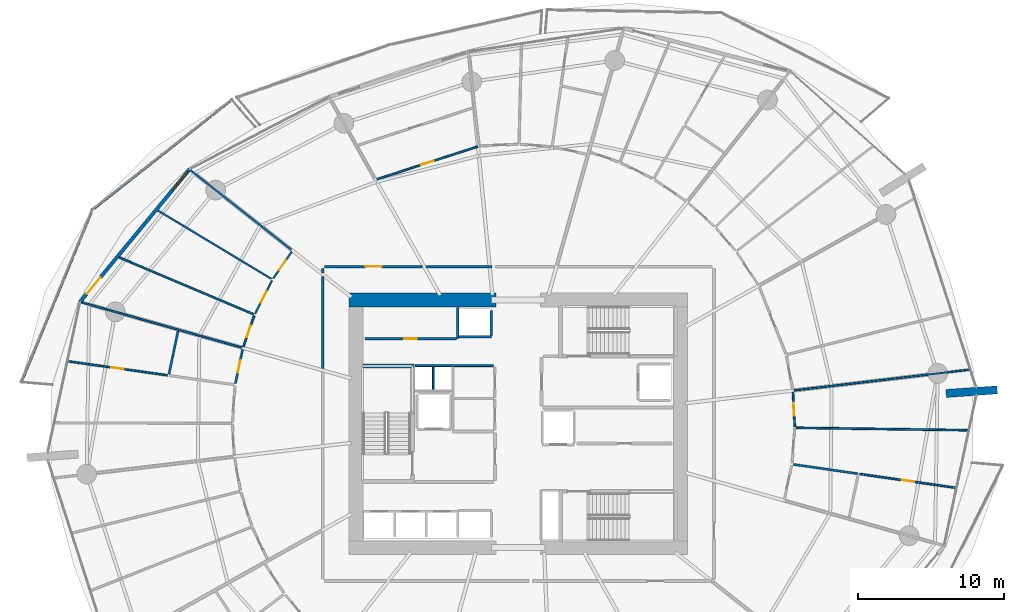
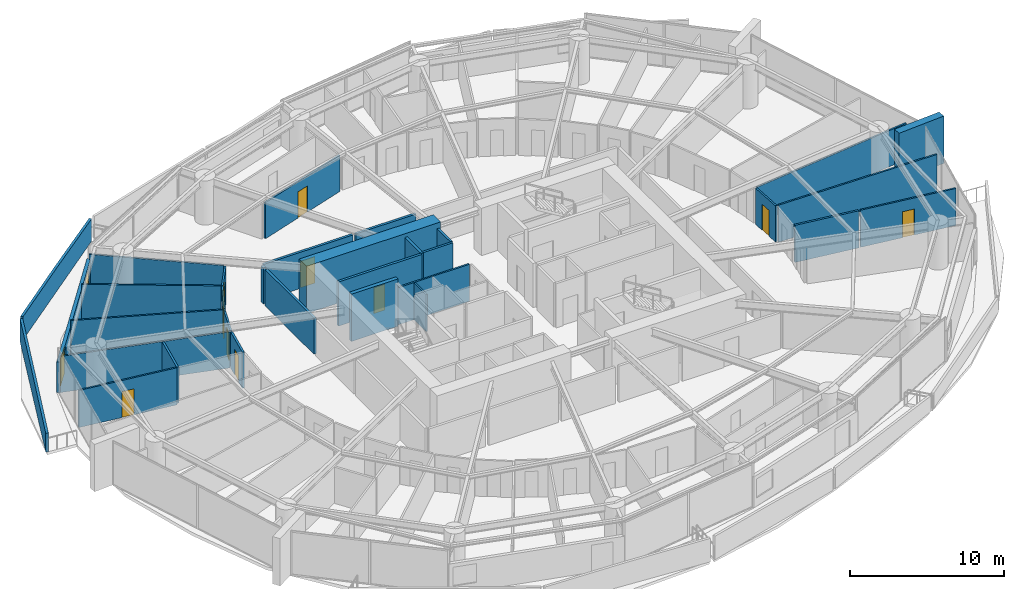
# One storey, part 22 of 31: 32 walls, 11 doors, 1 window, 12 openings.
"""IFC4 building model written with IfcOpenShell, lengths in metres."""

import ifcopenshell
import ifcopenshell.guid

model = None  # the IFC model being written
_history = None  # IfcOwnerHistory: only IFC2X3 demands one
_inside = {}  # id of a spatial element -> (the spatial element, [elements in it])
_under = {}  # id of a project, library or spatial element -> (it, [spatial elements below it])
_declared = {}  # id of a project -> (the project, [libraries it declares])
_typed = {}  # id of a type object -> (the type object, [elements of that type])
_made_of = {}  # id of a material, layer set ... -> (it, [elements and type objects made of it])


def new_model(schema):
    """Start an empty IFC model of exactly this schema.

    Asked for "IFC4X3", IfcOpenShell would pick the latest addendum, in which some entities
    have other attributes; the version numbers below select the first issue.
    IFC2X3 requires an IfcOwnerHistory on every rooted entity: one is made here for all.
    """
    global model, _history
    if schema == "IFC4X3":
        model = ifcopenshell.file(schema_version=(4, 3, 0, 0))
    else:
        model = ifcopenshell.file(schema=schema)
    _inside.clear()
    _under.clear()
    _declared.clear()
    _typed.clear()
    _made_of.clear()
    _history = None
    if model.schema == "IFC2X3":
        org = make("IfcOrganization", Name="unknown")
        user = make(
            "IfcPersonAndOrganization",
            ThePerson=make("IfcPerson", FamilyName="unknown"),
            TheOrganization=org,
        )
        app = make(
            "IfcApplication",
            ApplicationDeveloper=org,
            Version="unknown",
            ApplicationFullName="unknown",
            ApplicationIdentifier="unknown",
        )
        _history = make(
            "IfcOwnerHistory",
            OwningUser=user,
            OwningApplication=app,
            ChangeAction="ADDED",
            CreationDate=0,
        )
    return model


def make(cls, **values):
    """One entity of the class cls with the attributes given. An attribute that is None is left unset."""
    return model.create_entity(
        cls, **{name: value for name, value in values.items() if value is not None}
    )


def rooted(cls, **values):
    """An entity with a GlobalId (a new one), such as an element, a storey or a relation."""
    return make(cls, GlobalId=ifcopenshell.guid.new(), OwnerHistory=_history, **values)


def si_unit(unit_type, name, prefix=None):
    """IfcSIUnit, for example si_unit("LENGTHUNIT", "METRE", prefix="MILLI")."""
    return make("IfcSIUnit", UnitType=unit_type, Prefix=prefix, Name=name)


def assignment(units):
    """IfcUnitAssignment: the units of a project."""
    return None if units is None else make("IfcUnitAssignment", Units=units)


def point(xyz):
    """IfcCartesianPoint."""
    return None if xyz is None else make("IfcCartesianPoint", Coordinates=xyz)


def direction(xyz):
    """IfcDirection."""
    return None if xyz is None else make("IfcDirection", DirectionRatios=xyz)


def frame(location, z_axis=None, x_axis=None):
    """IfcAxis2Placement3D, a coordinate frame: its origin and axes. An axis left out is left unset."""
    return make(
        "IfcAxis2Placement3D",
        Location=point(location),
        Axis=direction(z_axis),
        RefDirection=direction(x_axis),
    )


def frame_2d(location, x_axis=None):
    """IfcAxis2Placement2D, a coordinate frame in the plane: its origin and x axis."""
    return make(
        "IfcAxis2Placement2D", Location=point(location), RefDirection=direction(x_axis)
    )


def origin():
    """The frame at (0, 0, 0) with its axes left unset."""
    return frame((0.0, 0.0, 0.0))


def place(relative_to, where):
    """IfcLocalPlacement: puts the frame where relative to a parent placement (None: the world)."""
    return make(
        "IfcLocalPlacement", PlacementRelTo=relative_to, RelativePlacement=where
    )


def context(
    kind, dimensions, precision=None, world=None, true_north=None, identifier=None
):
    """IfcGeometricRepresentationContext, for example the 3D "Model" context."""
    return make(
        "IfcGeometricRepresentationContext",
        ContextIdentifier=identifier,
        ContextType=kind,
        CoordinateSpaceDimension=dimensions,
        Precision=precision,
        WorldCoordinateSystem=world,
        TrueNorth=true_north,
    )


def subcontext(parent, identifier, kind, view, scale=None):
    """IfcGeometricRepresentationSubContext, for example "Body" below "Model"."""
    return make(
        "IfcGeometricRepresentationSubContext",
        ContextIdentifier=identifier,
        ContextType=kind,
        ParentContext=parent,
        TargetScale=scale,
        TargetView=view,
    )


def project(units=None, contexts=None):
    """IfcProject with its units and contexts."""
    return rooted(
        "IfcProject",
        Name="project",
        RepresentationContexts=contexts,
        UnitsInContext=assignment(units),
    )


def spatial(cls, under=None, at=None, **own):
    """A site, building, storey or space (cls), placed at a placement, below another one or the project."""
    s = rooted(cls, ObjectPlacement=at, **own)
    if under is not None:
        _under.setdefault(under.id(), (under, []))[1].append(s)
    return s


def polyline(points):
    """IfcPolyline through the points."""
    return make("IfcPolyline", Points=[point(p) for p in points])


def profile(cls, at=None, kind="AREA", **sizes):
    """A parametric profile (cls). Its sizes go by their IFC names, for example OverallWidth=200.0."""
    return make(cls, ProfileType=kind, Position=at, **sizes)


def rectangle(**sizes):
    """IfcRectangleProfileDef."""
    return profile("IfcRectangleProfileDef", **sizes)


def outline(outer, holes=None, kind="AREA"):
    """IfcArbitraryClosedProfileDef: a profile drawn as a closed curve; with holes, ...WithVoids."""
    if holes is None:
        return make("IfcArbitraryClosedProfileDef", ProfileType=kind, OuterCurve=outer)
    return make(
        "IfcArbitraryProfileDefWithVoids",
        ProfileType=kind,
        OuterCurve=outer,
        InnerCurves=holes,
    )


def extrude(swept, where, along, depth):
    """IfcExtrudedAreaSolid: the profile swept, set in the frame where, extruded along a direction by depth."""
    return make(
        "IfcExtrudedAreaSolid",
        SweptArea=swept,
        Position=where,
        ExtrudedDirection=direction(along),
        Depth=depth,
    )


def shape(context_of_items, identifier, shape_type, items):
    """IfcShapeRepresentation: the items that make up one representation, for example the "Body"."""
    return make(
        "IfcShapeRepresentation",
        ContextOfItems=context_of_items,
        RepresentationIdentifier=identifier,
        RepresentationType=shape_type,
        Items=items,
    )


def material(Name=None, Category=None):
    """IfcMaterial."""
    return make("IfcMaterial", Name=Name, Category=Category)


def layer(
    of_material, thickness, ventilated=None, Name=None, Category=None, Priority=None
):
    """IfcMaterialLayer: one layer of a wall or slab, of a material (None: an air gap)."""
    return make(
        "IfcMaterialLayer",
        Material=of_material,
        LayerThickness=thickness,
        IsVentilated=ventilated,
        Name=Name,
        Category=Category,
        Priority=Priority,
    )


def layer_set(layers, Name=None):
    """IfcMaterialLayerSet."""
    return make("IfcMaterialLayerSet", MaterialLayers=layers, LayerSetName=Name)


def made_of(thing, what):
    """Note that an element or type object is made of a material, layer set ...; save() writes the relation."""
    if what is not None:
        _made_of.setdefault(what.id(), (what, []))[1].append(thing)
    return thing


def type_object(cls, material=None, **own):
    """A type object (cls), such as IfcWallType, which elements share."""
    return made_of(rooted(cls, **own), material)


def element(
    cls,
    number,
    at=None,
    inside=None,
    cuts=None,
    type_object=None,
    material=None,
    context=None,
    identifier="Body",
    shape_type=None,
    held_by="IfcProductDefinitionShape",
    body=None,
    shapes=None,
    **own,
):
    """One element of the class cls, such as IfcWall. Its Tag is "e" and its number.

    at: its placement. inside: the storey or other place that contains it. cuts: it is an
    opening in that element (IfcRelVoidsElement). A single representation is given by context,
    identifier, shape_type and body (its items); several are given by shapes. held_by: the class
    of the entity that holds the representations. save() writes the other relations.
    """
    e = rooted(cls, Tag="e%d" % number, ObjectPlacement=at, **own)
    if body is not None:
        shapes = [shape(context, identifier, shape_type, body)]
    if shapes is not None:
        e.Representation = make(held_by, Representations=shapes)
    if inside is not None:
        _inside.setdefault(inside.id(), (inside, []))[1].append(e)
    if cuts is not None:
        rooted(
            "IfcRelVoidsElement", RelatingBuildingElement=cuts, RelatedOpeningElement=e
        )
    if type_object is not None:
        _typed.setdefault(type_object.id(), (type_object, []))[1].append(e)
    return made_of(e, material)


def fill(opening, filler):
    """IfcRelFillsElement: the door or window that sits in an opening."""
    return rooted(
        "IfcRelFillsElement",
        RelatingOpeningElement=opening,
        RelatedBuildingElement=filler,
    )


def aggregate(whole, parts):
    """IfcRelAggregates: a whole, such as a stair, and the parts it consists of."""
    return rooted("IfcRelAggregates", RelatingObject=whole, RelatedObjects=parts)


def save(model, path):
    """Write the relations noted so far, then the file.

    IfcRelAggregates (storeys below a building ...), IfcRelContainedInSpatialStructure (elements
    in a storey), IfcRelDefinesByType, IfcRelAssociatesMaterial and IfcRelDeclares: one each for
    every whole, place, type object, material and project.
    """
    for whole, parts in _under.values():
        aggregate(whole, parts)
    for where, things in _inside.values():
        rooted(
            "IfcRelContainedInSpatialStructure",
            RelatedElements=things,
            RelatingStructure=where,
        )
    for kind, things in _typed.values():
        rooted("IfcRelDefinesByType", RelatedObjects=things, RelatingType=kind)
    for what, things in _made_of.values():
        rooted("IfcRelAssociatesMaterial", RelatedObjects=things, RelatingMaterial=what)
    for by, libraries in _declared.values():
        rooted("IfcRelDeclares", RelatingContext=by, RelatedDefinitions=libraries)
    model.write(path)


model = new_model("IFC4")

# Units and contexts
model_context = context("Model", 3, precision=1e-05, world=origin(), true_north=direction((0.0, 1.0)))
body_context = subcontext(model_context, "Body", "Model", "MODEL_VIEW")
ifc_project = project(units=[si_unit("LENGTHUNIT", "METRE"), si_unit("AREAUNIT", "SQUARE_METRE"), si_unit("VOLUMEUNIT", "CUBIC_METRE"), si_unit("PLANEANGLEUNIT", "RADIAN"), si_unit("MASSUNIT", "GRAM", prefix="KILO")], contexts=[model_context])

# Site, building, storey
site_placement = place(None, origin())
site = spatial("IfcSite", under=ifc_project, at=site_placement, CompositionType="ELEMENT")
building_placement = place(site_placement, origin())
building = spatial("IfcBuilding", under=site, at=building_placement, Name="Kazma Halo Residences", CompositionType="ELEMENT")
storey_placement = place(building_placement, frame((0.0, 0.0, 48.89990234375)))
storey = spatial("IfcBuildingStorey", under=building, at=storey_placement, Name="L11", CompositionType="ELEMENT", Elevation=48.89990234375)

# Walls
ifc_material_1 = material(Name="White Concrete C50/60 Balustrade", Category="concrete")
ifc_layer_1 = layer(ifc_material_1, 0.179931640625)
ifc_layer_set_1 = layer_set([ifc_layer_1], Name="White Concrete C50/60 Balustrade")
wall_type_1 = type_object("IfcWallType", Name="WL-BAL-WAVE-180", PredefinedType="PARAPET", material=ifc_layer_set_1)
wall_1_placement = place(storey_placement, frame((28.828369140625, 64.17138671875, 0.0), z_axis=(0.0, 0.0, 1.0), x_axis=(-0.784771193171, -0.619785587416, 0.0)))
element("IfcWall", 1, at=wall_1_placement, inside=storey, type_object=wall_type_1, Name="L11 white wave balustrade wall NW.1", PredefinedType="PARAPET", context=body_context, shape_type="SweptSolid", body=[
    extrude(outline(polyline([(0.0, 0.0), (12.0439453125, 0.0), (12.0439453125, 1.83203125), (6.02197265625, 1.85302734375), (0.0, 1.756103515625), (0.0, 0.0)])), frame((0.0, 0.08984375, 0.0), z_axis=(0.0, -1.0, 0.0), x_axis=(1.0, 0.0, 0.0)), (0.0, 0.0, 1.0), 0.179931640625),
])
wall_2_placement = place(storey_placement, frame((19.23681640625, 56.521484375, 0.0), z_axis=(0.0, 0.0, 1.0), x_axis=(-0.381082407016, -0.924541074838, 0.0)))
element("IfcWall", 2, at=wall_2_placement, inside=storey, type_object=wall_type_1, Name="L11 white wave balustrade wall NW.2", PredefinedType="PARAPET", context=body_context, shape_type="SweptSolid", body=[
    extrude(outline(polyline([(0.0, 0.0), (12.625244140625, 0.0), (12.625244140625, 1.4970703125), (6.3125, 1.696044921875), (0.0, 1.83203125), (0.0, 0.0)])), frame((0.0, 0.08984375, 0.0), z_axis=(0.0, -1.0, 0.0), x_axis=(1.0, 0.0, 0.0)), (0.0, 0.0, 1.0), 0.179931640625),
])
ifc_material_2 = material(Name="Pale Concrete C60/75", Category="concrete")
ifc_layer_2 = layer(ifc_material_2, 0.550048828125)
ifc_layer_set_2 = layer_set([ifc_layer_2], Name="Pale Concrete C60/75")
wall_type_2 = type_object("IfcWallType", Name="WL-BLADE-550", PredefinedType="SOLIDWALL", material=ifc_layer_set_2)
wall_3_placement = place(storey_placement, frame((77.677978515625, 44.0751953125, 0.0), z_axis=(0.0, 0.0, 1.0), x_axis=(0.997564163539, 0.069754853754, 0.0)))
element("IfcWall", 3, at=wall_3_placement, inside=storey, type_object=wall_type_2, Name="L11 pale concrete structural blade fin wall BW-04", PredefinedType="SOLIDWALL", context=body_context, shape_type="SweptSolid", body=[
    extrude(rectangle(XDim=3.5, YDim=0.550048828125, at=frame_2d((1.75, 0.0))), origin(), (0.0, 0.0, 1.0), 3.75),
])
ifc_material_3 = material(Name="Concrete C80/95", Category="concrete")
ifc_layer_3 = layer(ifc_material_3, 0.949951171875)
ifc_layer_set_3 = layer_set([ifc_layer_3], Name="Concrete C80/95")
wall_type_3 = type_object("IfcWallType", Name="WL-CORE-950", PredefinedType="SHEAR", material=ifc_layer_set_3)
wall_4_placement = place(storey_placement, frame((36.85009765625, 50.47509765625, 0.0), z_axis=(0.0, 0.0, 1.0), x_axis=(1.0, 0.0, 0.0)))
element("IfcWall", 4, at=wall_4_placement, inside=storey, type_object=wall_type_3, Name="L11 central core shear wall NW", PredefinedType="SHEAR", context=body_context, shape_type="SweptSolid", body=[
    extrude(rectangle(XDim=10.0498046875, YDim=0.949951171875, at=frame_2d((5.02490234375, 0.0))), origin(), (0.0, 0.0, 1.0), 3.75),
])
ifc_material_4 = material(Name="Concrete C60/75", Category="concrete")
ifc_layer_4 = layer(ifc_material_4, 0.280029296875)
ifc_layer_set_4 = layer_set([ifc_layer_4], Name="Concrete C60/75")
wall_type_4 = type_object("IfcWallType", Name="WL-CORE-ST-280", PredefinedType="SHEAR", material=ifc_layer_set_4)
wall_5_placement = place(storey_placement, frame((37.800048828125, 45.93994140625, 0.0), z_axis=(0.0, 0.0, 1.0), x_axis=(1.0, 0.0, 0.0)))
element("IfcWall", 5, at=wall_5_placement, inside=storey, type_object=wall_type_4, Name="L11 stairwell bearing wall ST01-N", PredefinedType="SHEAR", context=body_context, shape_type="SweptSolid", body=[
    extrude(rectangle(XDim=3.5, YDim=0.280029296875, at=frame_2d((1.75, 0.0))), origin(), (0.0, 0.0, 1.0), 3.75),
])

# Wall, opening, door
ifc_material_5 = material(Name="Acoustic Twin-Stud Gypsum")
ifc_layer_5 = layer(ifc_material_5, 0.179931640625)
ifc_layer_set_5 = layer_set([ifc_layer_5], Name="Acoustic Twin-Stud Gypsum")
wall_type_5 = type_object("IfcWallType", Name="WL-DEM-180", PredefinedType="PARTITIONING", material=ifc_layer_set_5)
wall_6_placement = place(storey_placement, frame((41.859619140625, 52.75, 0.0), z_axis=(0.0, 0.0, 1.0), x_axis=(-1.0, 0.0, 0.0)))
wall_6 = element("IfcWall", 6, at=wall_6_placement, inside=storey, type_object=wall_type_5, Name="L11 Apartment 1 entrance corridor wall", PredefinedType="PARTITIONING", context=body_context, shape_type="SweptSolid", body=[
    extrude(rectangle(XDim=6.689697265625, YDim=0.179931640625, at=frame_2d((3.3447265625, 0.0))), origin(), (0.0, 0.0, 1.0), 2.8671875),
])
opening_1_placement = place(wall_6_placement, frame((2.794921875, 0.0, 0.0)))
opening_1 = element("IfcOpeningElement", 7, at=opening_1_placement, cuts=wall_6, Name="Opening DA-1100", PredefinedType="OPENING", context=body_context, shape_type="SweptSolid", body=[
    extrude(rectangle(XDim=1.10009765625, YDim=2.10009765625, at=frame_2d((0.550048828125, 1.050048828125))), frame((0.0, 0.099853515625, 0.0), z_axis=(0.0, -1.0, 0.0), x_axis=(1.0, 0.0, 0.0)), (0.0, 0.0, 1.0), 0.199951171875),
])
ifc_material_6 = material(Name="Acoustic Walnut Fire Leaf")
door_type_1 = type_object("IfcDoorType", Name="DR-FD60-1100", OperationType="NOTDEFINED", PredefinedType="DOOR", material=ifc_material_6)
door_1_placement = place(opening_1_placement, origin())
door_1 = element("IfcDoor", 8, at=door_1_placement, inside=storey, type_object=door_type_1, Name="L11 Apartment 1 entrance fire door", OperationType="SINGLE_SWING_LEFT", OverallHeight=2.10009765625, OverallWidth=1.10009765625, PredefinedType="DOOR", context=body_context, shape_type="SweptSolid", body=[
    extrude(rectangle(XDim=1.10009765625, YDim=2.10009765625, at=frame_2d((0.550048828125, 1.050048828125))), frame((0.0, 0.02490234375, 0.0), z_axis=(0.0, -1.0, 0.0), x_axis=(1.0, 0.0, 0.0)), (0.0, 0.0, 1.0), 0.050048828125),
])
fill(opening_1, door_1)

# Walls
wall_7_placement = place(storey_placement, frame((35.050048828125, 52.6298828125, 0.0), z_axis=(0.0, 0.0, 1.0), x_axis=(0.0, -1.0, 0.0)))
element("IfcWall", 9, at=wall_7_placement, inside=storey, type_object=wall_type_5, Name="L11 Apartment 1 entrance corridor wall", PredefinedType="PARTITIONING", context=body_context, shape_type="SweptSolid", body=[
    extrude(rectangle(XDim=0.30078125, YDim=0.179931640625, at=frame_2d((0.150390625, 0.0))), origin(), (0.0, 0.0, 1.0), 2.8671875),
])
wall_8_placement = place(storey_placement, frame((46.607666015625, 52.75, 0.0), z_axis=(0.0, 0.0, 1.0), x_axis=(-1.0, 0.0, 0.0)))
element("IfcWall", 10, at=wall_8_placement, inside=storey, type_object=wall_type_5, Name="L11 Apartment 1 inner wall 3", PredefinedType="PARTITIONING", context=body_context, shape_type="SweptSolid", body=[
    extrude(rectangle(XDim=4.508056640625, YDim=0.179931640625, at=frame_2d((2.25390625, 0.0))), origin(), (0.0, 0.0, 1.0), 2.8671875),
])
wall_9_placement = place(storey_placement, frame((35.050048828125, 52.089111328125, 0.0), z_axis=(0.0, 0.0, 1.0), x_axis=(0.0, -1.0, 0.0)))
element("IfcWall", 11, at=wall_9_placement, inside=storey, type_object=wall_type_5, Name="L11 Apartment 1 inner wall 5", PredefinedType="PARTITIONING", context=body_context, shape_type="SweptSolid", body=[
    extrude(rectangle(XDim=6.31689453125, YDim=0.179931640625, at=frame_2d((3.158447265625, 0.0))), origin(), (0.0, 0.0, 1.0), 2.8671875),
])

# Wall, openings, door, window
ifc_material_7 = material(Name="Insulated Pale-Metal Composite Wall")
ifc_layer_6 = layer(ifc_material_7, 0.239990234375)
ifc_layer_set_6 = layer_set([ifc_layer_6], Name="Insulated Pale-Metal Composite Wall")
wall_type_6 = type_object("IfcWallType", Name="WL-EXT-HOST-240", PredefinedType="SOLIDWALL", material=ifc_layer_set_6)
wall_10_placement = place(storey_placement, frame((25.966796875, 59.433349609375, 0.0), z_axis=(0.0, 0.0, 1.0), x_axis=(-0.636674332663, -0.771132799281, 0.0)))
wall_10 = element("IfcWall", 12, at=wall_10_placement, inside=storey, type_object=wall_type_6, Name="L11 exterior terrace-access wall B06", PredefinedType="SOLIDWALL", context=body_context, shape_type="SweptSolid", body=[
    extrude(rectangle(XDim=11.851318359375, YDim=0.239990234375, at=frame_2d((5.92578125, 0.0))), origin(), (0.0, 0.0, 1.0), 2.4501953125),
])
opening_2_placement = place(wall_10_placement, frame((9.631103515625, 0.0, 0.0)))
opening_2 = element("IfcOpeningElement", 13, at=opening_2_placement, cuts=wall_10, Name="Opening DTR-1600", PredefinedType="OPENING", context=body_context, shape_type="SweptSolid", body=[
    extrude(rectangle(XDim=1.449951171875, YDim=2.14990234375, at=frame_2d((0.72509765625, 1.074951171875))), frame((0.0, 0.1298828125, 0.0), z_axis=(0.0, -1.0, 0.0), x_axis=(1.0, 0.0, 0.0)), (0.0, 0.0, 1.0), 0.260009765625),
])
opening_3_placement = place(wall_10_placement, frame((0.280029296875, 0.0, 0.64990234375)))
opening_3 = element("IfcOpeningElement", 14, at=opening_3_placement, cuts=wall_10, Name="Opening W-1800", PredefinedType="OPENING", context=body_context, shape_type="SweptSolid", body=[
    extrude(rectangle(XDim=1.60009765625, YDim=1.5, at=frame_2d((0.800048828125, 0.75))), frame((0.0, 0.1298828125, 0.0), z_axis=(0.0, -1.0, 0.0), x_axis=(1.0, 0.0, 0.0)), (0.0, 0.0, 1.0), 0.260009765625),
])
ifc_material_8 = material(Name="Aluminium AW-6063 T6 Double-Glazed Terrace Door", Category="aluminium")
door_type_2 = type_object("IfcDoorType", Name="DR-EXT-TERR-1600", OperationType="NOTDEFINED", PredefinedType="DOOR", material=ifc_material_8)
door_2_placement = place(opening_2_placement, origin())
door_2 = element("IfcDoor", 15, at=door_2_placement, inside=storey, type_object=door_type_2, Name="L11 B06 balcony terrace door", OperationType="DOUBLE_DOOR_SLIDING", OverallHeight=2.14990234375, OverallWidth=1.449951171875, PredefinedType="DOOR", context=body_context, shape_type="SweptSolid", body=[
    extrude(rectangle(XDim=1.449951171875, YDim=2.14990234375, at=frame_2d((0.72509765625, 1.074951171875))), frame((0.0, 0.02490234375, 0.0), z_axis=(0.0, -1.0, 0.0), x_axis=(1.0, 0.0, 0.0)), (0.0, 0.0, 1.0), 0.050048828125),
])
fill(opening_2, door_2)
ifc_material_9 = material(Name="Clear Triple-Silver Low-E Glass in Aluminium AW-6063 T6 Frame", Category="aluminium")
window_type = type_object("IfcWindowType", Name="WIN-RES-1800", PartitioningType="DOUBLE_PANEL_VERTICAL", PredefinedType="WINDOW", material=ifc_material_9)
window_placement = place(opening_3_placement, origin())
window = element("IfcWindow", 16, at=window_placement, inside=storey, type_object=window_type, Name="L11 B06 apartment window", OverallHeight=1.5, OverallWidth=1.60009765625, PartitioningType="SINGLE_PANEL", PredefinedType="WINDOW", context=body_context, shape_type="SweptSolid", body=[
    extrude(rectangle(XDim=1.60009765625, YDim=1.5, at=frame_2d((0.800048828125, 0.75))), frame((0.0, 0.030029296875, 0.0), z_axis=(0.0, -1.0, 0.0), x_axis=(1.0, 0.0, 0.0)), (0.0, 0.0, 1.0), 0.06005859375),
])
fill(opening_3, window)

# Walls
ifc_material_10 = material(Name="Fire-Rated Blockwork Masonry", Category="masonry")
ifc_layer_7 = layer(ifc_material_10, 0.199951171875)
ifc_layer_set_7 = layer_set([ifc_layer_7], Name="Fire-Rated Blockwork Masonry")
wall_type_7 = type_object("IfcWallType", Name="WL-FLB-200", PredefinedType="PARTITIONING", material=ifc_layer_set_7)
wall_11_placement = place(storey_placement, frame((46.580078125, 47.945068359375, 0.0), z_axis=(0.0, 0.0, 1.0), x_axis=(-1.0, 0.0, 0.0)))
element("IfcWall", 17, at=wall_11_placement, inside=storey, type_object=wall_type_7, Name="L11 lift shaft PX-01 front wall", PredefinedType="PARTITIONING", context=body_context, shape_type="SweptSolid", body=[
    extrude(rectangle(XDim=2.260009765625, YDim=0.159912109375, at=frame_2d((1.1298828125, 0.0))), origin(), (0.0, 0.0, 1.0), 3.5),
])
wall_12_placement = place(storey_placement, frame((46.580078125, 48.044921875, 0.0), z_axis=(0.0, 0.0, 1.0), x_axis=(0.0, 1.0, 0.0)))
element("IfcWall", 18, at=wall_12_placement, inside=storey, type_object=wall_type_7, Name="L11 lift shaft PX-01 side wall E", PredefinedType="PARTITIONING", context=body_context, shape_type="SweptSolid", body=[
    extrude(rectangle(XDim=1.7099609375, YDim=0.159912109375, at=frame_2d((0.85498046875, 0.0))), origin(), (0.0, 0.0, 1.0), 3.5),
])

# Wall, opening, door
wall_13_placement = place(storey_placement, frame((37.919921875, 47.820068359375, 0.0), z_axis=(0.0, 0.0, 1.0), x_axis=(1.0, 0.0, 0.0)))
wall_13 = element("IfcWall", 19, at=wall_13_placement, inside=storey, type_object=wall_type_7, Name="L11 core north reserve wall", PredefinedType="PARTITIONING", context=body_context, shape_type="SweptSolid", body=[
    extrude(rectangle(XDim=6.260009765625, YDim=0.179931640625, at=frame_2d((3.1298828125, 0.0))), origin(), (0.0, 0.0, 1.0), 3.5),
])
opening_4_placement = place(wall_13_placement, frame((2.705078125, 0.0, 0.0)))
opening_4 = element("IfcOpeningElement", 20, at=opening_4_placement, cuts=wall_13, Name="Opening DS-850", PredefinedType="OPENING", context=body_context, shape_type="SweptSolid", body=[
    extrude(rectangle(XDim=0.85009765625, YDim=2.06005859375, at=frame_2d((0.425048828125, 1.030029296875))), frame((0.0, 0.099853515625, 0.0), z_axis=(0.0, -1.0, 0.0), x_axis=(1.0, 0.0, 0.0)), (0.0, 0.0, 1.0), 0.199951171875),
])
ifc_material_11 = material(Name="Painted Steel Access Leaf", Category="steel")
door_type_3 = type_object("IfcDoorType", Name="DR-SVC-850", OperationType="NOTDEFINED", PredefinedType="DOOR", material=ifc_material_11)
door_3_placement = place(opening_4_placement, origin())
door_3 = element("IfcDoor", 21, at=door_3_placement, inside=storey, type_object=door_type_3, Name="L11 core north reserve door", OperationType="SINGLE_SWING_LEFT", OverallHeight=2.06005859375, OverallWidth=0.85009765625, PredefinedType="DOOR", context=body_context, shape_type="SweptSolid", body=[
    extrude(rectangle(XDim=0.85009765625, YDim=2.06005859375, at=frame_2d((0.425048828125, 1.030029296875))), frame((0.0, 0.02490234375, 0.0), z_axis=(0.0, -1.0, 0.0), x_axis=(1.0, 0.0, 0.0)), (0.0, 0.0, 1.0), 0.050048828125),
])
fill(opening_4, door_3)

# Walls
wall_14_placement = place(storey_placement, frame((44.280029296875, 47.820068359375, 0.0), z_axis=(0.0, 0.0, 1.0), x_axis=(0.0, 1.0, 0.0)))
element("IfcWall", 22, at=wall_14_placement, inside=storey, type_object=wall_type_7, Name="L11 PX-01 hoistway west wall", PredefinedType="PARTITIONING", context=body_context, shape_type="SweptSolid", body=[
    extrude(rectangle(XDim=2.1298828125, YDim=0.179931640625, at=frame_2d((1.06494140625, 0.0))), origin(), (0.0, 0.0, 1.0), 3.5),
])
ifc_material_12 = material(Name="Gypsum Plasterboard Partition")
ifc_layer_8 = layer(ifc_material_12, 0.125)
ifc_layer_set_8 = layer_set([ifc_layer_8], Name="Gypsum Plasterboard Partition")
wall_type_8 = type_object("IfcWallType", Name="WL-PART-125", PredefinedType="PARTITIONING", material=ifc_layer_set_8)
wall_15_placement = place(storey_placement, frame((41.360107421875, 45.97998046875, 0.0), z_axis=(0.0, 0.0, 1.0), x_axis=(1.0, 0.0, 0.0)))
element("IfcWall", 23, at=wall_15_placement, inside=storey, type_object=wall_type_8, Name="L11 core north riser wall", PredefinedType="PARTITIONING", context=body_context, shape_type="SweptSolid", body=[
    extrude(rectangle(XDim=5.35986328125, YDim=0.125, at=frame_2d((2.679931640625, 0.0))), origin(), (0.0, 0.0, 1.0), 2.940185546875),
])
wall_16_placement = place(storey_placement, frame((42.60009765625, 44.35009765625, 0.0), z_axis=(0.0, 0.0, 1.0), x_axis=(0.0, 1.0, 0.0)))
element("IfcWall", 24, at=wall_16_placement, inside=storey, type_object=wall_type_8, Name="L11 core riser divider wall", PredefinedType="PARTITIONING", context=body_context, shape_type="SweptSolid", body=[
    extrude(rectangle(XDim=1.5498046875, YDim=0.125, at=frame_2d((0.77490234375, 0.0))), origin(), (0.0, 0.0, 1.0), 2.940185546875),
])

# Wall, opening, door
wall_17_placement = place(storey_placement, frame((45.64697265625, 60.96337890625, 0.0), z_axis=(0.0, 0.0, 1.0), x_axis=(-0.95105883225, -0.309009866509, 0.0)))
wall_17 = element("IfcWall", 25, at=wall_17_placement, inside=storey, type_object=wall_type_8, Name="L11 Apartment 1 East Study hall wall", PredefinedType="PARTITIONING", context=body_context, shape_type="SweptSolid", body=[
    extrude(rectangle(XDim=7.244140625, YDim=0.125, at=frame_2d((3.6220703125, 0.0))), origin(), (0.0, 0.0, 1.0), 2.8671875),
])
opening_5_placement = place(wall_17_placement, frame((3.172119140625, 0.0, 0.0)))
opening_5 = element("IfcOpeningElement", 26, at=opening_5_placement, cuts=wall_17, Name="Opening DI-950", PredefinedType="OPENING", context=body_context, shape_type="SweptSolid", body=[
    extrude(rectangle(XDim=0.89990234375, YDim=2.080078125, at=frame_2d((0.449951171875, 1.0400390625))), frame((0.0, 0.072509765625, 0.0), z_axis=(0.0, -1.0, 0.0), x_axis=(1.0, 0.0, 0.0)), (0.0, 0.0, 1.0), 0.14501953125),
])
ifc_material_13 = material(Name="Timber Veneer Flush Leaf", Category="wood")
door_type_4 = type_object("IfcDoorType", Name="DR-INT-950", OperationType="NOTDEFINED", PredefinedType="DOOR", material=ifc_material_13)
door_4_placement = place(opening_5_placement, origin())
door_4 = element("IfcDoor", 27, at=door_4_placement, inside=storey, type_object=door_type_4, Name="L11 Apartment 1 East Study door", OperationType="SINGLE_SWING_LEFT", OverallHeight=2.080078125, OverallWidth=0.89990234375, PredefinedType="DOOR", context=body_context, shape_type="SweptSolid", body=[
    extrude(rectangle(XDim=0.89990234375, YDim=2.080078125, at=frame_2d((0.449951171875, 1.0400390625))), frame((0.0, 0.02490234375, 0.0), z_axis=(0.0, -1.0, 0.0), x_axis=(1.0, 0.0, 0.0)), (0.0, 0.0, 1.0), 0.050048828125),
])
fill(opening_5, door_4)

# Walls
wall_18_placement = place(storey_placement, frame((32.8984375, 53.9052734375, 0.0), z_axis=(0.0, 0.0, 1.0), x_axis=(-0.78532854108, 0.619079221558, 0.0)))
element("IfcWall", 28, at=wall_18_placement, inside=storey, type_object=wall_type_8, Name="L11 Apartment 1 radial partition 5", PredefinedType="PARTITIONING", context=body_context, shape_type="SweptSolid", body=[
    extrude(rectangle(XDim=8.842041015625, YDim=0.125, at=frame_2d((4.4208984375, 0.0))), origin(), (0.0, 0.0, 1.0), 2.8671875),
])
wall_19_placement = place(storey_placement, frame((31.533935546875, 51.913330078125, 0.0), z_axis=(0.0, 0.0, 1.0), x_axis=(-0.856706990958, 0.515803384676, 0.0)))
element("IfcWall", 29, at=wall_19_placement, inside=storey, type_object=wall_type_8, Name="L11 Apartment 1 bay wall 1 5", PredefinedType="PARTITIONING", context=body_context, shape_type="SweptSolid", body=[
    extrude(rectangle(XDim=9.056640625, YDim=0.125, at=frame_2d((4.5283203125, 0.0))), origin(), (0.0, 0.0, 1.0), 2.940185546875),
])
wall_20_placement = place(storey_placement, frame((30.30126953125, 49.494384765625, 0.0), z_axis=(0.0, 0.0, 1.0), x_axis=(-0.920840746031, 0.389938867579, 0.0)))
element("IfcWall", 30, at=wall_20_placement, inside=storey, type_object=wall_type_8, Name="L11 Apartment 1 bay wall 2 5", PredefinedType="PARTITIONING", context=body_context, shape_type="SweptSolid", body=[
    extrude(rectangle(XDim=9.965576171875, YDim=0.125, at=frame_2d((4.98291015625, 0.0))), origin(), (0.0, 0.0, 1.0), 2.940185546875),
])

# Wall, opening, door
wall_21_placement = place(storey_placement, frame((32.931396484375, 53.777587890625, 0.0), z_axis=(0.0, 0.0, 1.0), x_axis=(-0.568541738061, -0.822654418382, 0.0)))
wall_21 = element("IfcWall", 31, at=wall_21_placement, inside=storey, type_object=wall_type_8, Name="L11 Apartment 1 Inner Bedroom hall wall", PredefinedType="PARTITIONING", context=body_context, shape_type="SweptSolid", body=[
    extrude(rectangle(XDim=2.242431640625, YDim=0.125, at=frame_2d((1.12109375, 0.0))), origin(), (0.0, 0.0, 1.0), 2.8671875),
])
opening_6_placement = place(wall_21_placement, frame((0.6962890625, 0.0, 0.0)))
opening_6 = element("IfcOpeningElement", 32, at=opening_6_placement, cuts=wall_21, Name="Opening DB-900", PredefinedType="OPENING", context=body_context, shape_type="SweptSolid", body=[
    extrude(rectangle(XDim=0.85009765625, YDim=2.06005859375, at=frame_2d((0.425048828125, 1.030029296875))), frame((0.0, 0.072509765625, 0.0), z_axis=(0.0, -1.0, 0.0), x_axis=(1.0, 0.0, 0.0)), (0.0, 0.0, 1.0), 0.14501953125),
])
ifc_material_14 = material(Name="Moisture-Sealed Timber Leaf", Category="wood")
door_type_5 = type_object("IfcDoorType", Name="DR-BTH-900", OperationType="NOTDEFINED", PredefinedType="DOOR", material=ifc_material_14)
door_5_placement = place(opening_6_placement, origin())
door_5 = element("IfcDoor", 33, at=door_5_placement, inside=storey, type_object=door_type_5, Name="L11 Apartment 1 Inner Bedroom door", OperationType="SINGLE_SWING_RIGHT", OverallHeight=2.06005859375, OverallWidth=0.85009765625, PredefinedType="DOOR", context=body_context, shape_type="SweptSolid", body=[
    extrude(rectangle(XDim=0.85009765625, YDim=2.06005859375, at=frame_2d((0.425048828125, 1.030029296875))), frame((0.0, 0.02490234375, 0.0), z_axis=(0.0, -1.0, 0.0), x_axis=(1.0, 0.0, 0.0)), (0.0, 0.0, 1.0), 0.050048828125),
])
fill(opening_6, door_5)

wall_22_placement = place(storey_placement, frame((31.57470703125, 51.795654296875, 0.0), z_axis=(0.0, 0.0, 1.0), x_axis=(-0.454037986735, -0.890982326762, 0.0)))
wall_22 = element("IfcWall", 34, at=wall_22_placement, inside=storey, type_object=wall_type_8, Name="L11 Apartment 1 Outer Study hall wall", PredefinedType="PARTITIONING", context=body_context, shape_type="SweptSolid", body=[
    extrude(rectangle(XDim=2.542236328125, YDim=0.125, at=frame_2d((1.27099609375, 0.0))), origin(), (0.0, 0.0, 1.0), 2.940185546875),
])
opening_7_placement = place(wall_22_placement, frame((0.84619140625, 0.0, 0.0)))
opening_7 = element("IfcOpeningElement", 35, at=opening_7_placement, cuts=wall_22, Name="Opening DB-900", PredefinedType="OPENING", context=body_context, shape_type="SweptSolid", body=[
    extrude(rectangle(XDim=0.85009765625, YDim=2.06005859375, at=frame_2d((0.425048828125, 1.030029296875))), frame((0.0, 0.072509765625, 0.0), z_axis=(0.0, -1.0, 0.0), x_axis=(1.0, 0.0, 0.0)), (0.0, 0.0, 1.0), 0.14501953125),
])
door_6_placement = place(opening_7_placement, origin())
door_6 = element("IfcDoor", 36, at=door_6_placement, inside=storey, type_object=door_type_5, Name="L11 Apartment 1 Outer Study door", OperationType="SINGLE_SWING_LEFT", OverallHeight=2.06005859375, OverallWidth=0.85009765625, PredefinedType="DOOR", context=body_context, shape_type="SweptSolid", body=[
    extrude(rectangle(XDim=0.85009765625, YDim=2.06005859375, at=frame_2d((0.425048828125, 1.030029296875))), frame((0.0, 0.02490234375, 0.0), z_axis=(0.0, -1.0, 0.0), x_axis=(1.0, 0.0, 0.0)), (0.0, 0.0, 1.0), 0.050048828125),
])
fill(opening_7, door_6)

wall_23_placement = place(storey_placement, frame((30.357666015625, 49.3837890625, 0.0), z_axis=(0.0, 0.0, 1.0), x_axis=(-0.331344536708, -0.943509829304, 0.0)))
wall_23 = element("IfcWall", 37, at=wall_23_placement, inside=storey, type_object=wall_type_8, Name="L11 Apartment 1 Corner Bedroom hall wall", PredefinedType="PARTITIONING", context=body_context, shape_type="SweptSolid", body=[
    extrude(rectangle(XDim=2.2421875, YDim=0.125, at=frame_2d((1.12109375, 0.0))), origin(), (0.0, 0.0, 1.0), 2.8671875),
])
opening_8_placement = place(wall_23_placement, frame((0.696044921875, 0.0, 0.0)))
opening_8 = element("IfcOpeningElement", 38, at=opening_8_placement, cuts=wall_23, Name="Opening DB-900", PredefinedType="OPENING", context=body_context, shape_type="SweptSolid", body=[
    extrude(rectangle(XDim=0.85009765625, YDim=2.06005859375, at=frame_2d((0.425048828125, 1.030029296875))), frame((0.0, 0.072509765625, 0.0), z_axis=(0.0, -1.0, 0.0), x_axis=(1.0, 0.0, 0.0)), (0.0, 0.0, 1.0), 0.14501953125),
])
door_7_placement = place(opening_8_placement, origin())
door_7 = element("IfcDoor", 39, at=door_7_placement, inside=storey, type_object=door_type_5, Name="L11 Apartment 1 Corner Bedroom door", OperationType="SINGLE_SWING_RIGHT", OverallHeight=2.06005859375, OverallWidth=0.85009765625, PredefinedType="DOOR", context=body_context, shape_type="SweptSolid", body=[
    extrude(rectangle(XDim=0.85009765625, YDim=2.06005859375, at=frame_2d((0.425048828125, 1.030029296875))), frame((0.0, 0.02490234375, 0.0), z_axis=(0.0, -1.0, 0.0), x_axis=(1.0, 0.0, 0.0)), (0.0, 0.0, 1.0), 0.050048828125),
])
fill(opening_8, door_7)

# Wall
wall_24_placement = place(storey_placement, frame((29.491943359375, 47.2197265625, 0.0), z_axis=(0.0, 0.0, 1.0), x_axis=(-0.962454721813, 0.271442274635, 0.0)))
element("IfcWall", 40, at=wall_24_placement, inside=storey, type_object=wall_type_8, Name="L11 Apartment 1 radial partition 6", PredefinedType="PARTITIONING", context=body_context, shape_type="SweptSolid", body=[
    extrude(rectangle(XDim=11.344482421875, YDim=0.125, at=frame_2d((5.67236328125, 0.0))), origin(), (0.0, 0.0, 1.0), 2.8671875),
])

# Wall, opening, door
wall_25_placement = place(storey_placement, frame((24.42236328125, 45.31787109375, 0.0), z_axis=(0.0, 0.0, 1.0), x_axis=(-0.990243959665, 0.139344538274, 0.0)))
wall_25 = element("IfcWall", 41, at=wall_25_placement, inside=storey, type_object=wall_type_8, Name="L11 Apartment 1 Sky Walk-In Wardrobe partition wall", PredefinedType="PARTITIONING", context=body_context, shape_type="SweptSolid", body=[
    extrude(rectangle(XDim=6.88037109375, YDim=0.125, at=frame_2d((3.440185546875, 0.0))), origin(), (0.0, 0.0, 1.0), 2.940185546875),
])
opening_9_placement = place(wall_25_placement, frame((3.01513671875, 0.0, 0.0)))
opening_9 = element("IfcOpeningElement", 42, at=opening_9_placement, cuts=wall_25, Name="Opening DB-900", PredefinedType="OPENING", context=body_context, shape_type="SweptSolid", body=[
    extrude(rectangle(XDim=0.85009765625, YDim=2.06005859375, at=frame_2d((0.425048828125, 1.030029296875))), frame((0.0, 0.072509765625, 0.0), z_axis=(0.0, -1.0, 0.0), x_axis=(1.0, 0.0, 0.0)), (0.0, 0.0, 1.0), 0.14501953125),
])
door_8_placement = place(opening_9_placement, origin())
door_8 = element("IfcDoor", 43, at=door_8_placement, inside=storey, type_object=door_type_5, Name="L11 Apartment 1 Sky Walk-In Wardrobe door", OperationType="SINGLE_SWING_LEFT", OverallHeight=2.06005859375, OverallWidth=0.85009765625, PredefinedType="DOOR", context=body_context, shape_type="SweptSolid", body=[
    extrude(rectangle(XDim=0.85009765625, YDim=2.06005859375, at=frame_2d((0.425048828125, 1.030029296875))), frame((0.0, 0.02490234375, 0.0), z_axis=(0.0, -1.0, 0.0), x_axis=(1.0, 0.0, 0.0)), (0.0, 0.0, 1.0), 0.050048828125),
])
fill(opening_9, door_8)

wall_26_placement = place(storey_placement, frame((71.766845703125, 38.56982421875, 0.0), z_axis=(0.0, 0.0, 1.0), x_axis=(0.989747166196, -0.142830483468, 0.0)))
wall_26 = element("IfcWall", 44, at=wall_26_placement, inside=storey, type_object=wall_type_8, Name="L11 Apartment 3 Utility Laundry Room partition wall", PredefinedType="PARTITIONING", context=body_context, shape_type="SweptSolid", body=[
    extrude(rectangle(XDim=6.669677734375, YDim=0.125, at=frame_2d((3.3349609375, 0.0))), origin(), (0.0, 0.0, 1.0), 2.940185546875),
])
opening_10_placement = place(wall_26_placement, frame((2.909912109375, 0.0, 0.0)))
opening_10 = element("IfcOpeningElement", 45, at=opening_10_placement, cuts=wall_26, Name="Opening DB-900", PredefinedType="OPENING", context=body_context, shape_type="SweptSolid", body=[
    extrude(rectangle(XDim=0.85009765625, YDim=2.06005859375, at=frame_2d((0.425048828125, 1.030029296875))), frame((0.0, 0.072509765625, 0.0), z_axis=(0.0, -1.0, 0.0), x_axis=(1.0, 0.0, 0.0)), (0.0, 0.0, 1.0), 0.14501953125),
])
door_9_placement = place(opening_10_placement, origin())
door_9 = element("IfcDoor", 46, at=door_9_placement, inside=storey, type_object=door_type_5, Name="L11 Apartment 3 Utility Laundry Room door", OperationType="SINGLE_SWING_LEFT", OverallHeight=2.06005859375, OverallWidth=0.85009765625, PredefinedType="DOOR", context=body_context, shape_type="SweptSolid", body=[
    extrude(rectangle(XDim=0.85009765625, YDim=2.06005859375, at=frame_2d((0.425048828125, 1.030029296875))), frame((0.0, 0.02490234375, 0.0), z_axis=(0.0, -1.0, 0.0), x_axis=(1.0, 0.0, 0.0)), (0.0, 0.0, 1.0), 0.050048828125),
])
fill(opening_10, door_9)

# Wall
wall_27_placement = place(storey_placement, frame((67.421142578125, 41.726806640625, 0.0), z_axis=(0.0, 0.0, 1.0), x_axis=(0.999900926594, -0.014076114402, 0.0)))
element("IfcWall", 47, at=wall_27_placement, inside=storey, type_object=wall_type_8, Name="L11 Apartment 3 suite divider 14", PredefinedType="PARTITIONING", context=body_context, shape_type="SweptSolid", body=[
    extrude(rectangle(XDim=11.794189453125, YDim=0.125, at=frame_2d((5.89697265625, 0.0))), origin(), (0.0, 0.0, 1.0), 2.940185546875),
])

# Wall, opening, door
wall_28_placement = place(storey_placement, frame((67.326904296875, 41.807861328125, 0.0), z_axis=(0.0, 0.0, 1.0), x_axis=(-0.05186073985, 0.998654326412, 0.0)))
wall_28 = element("IfcWall", 48, at=wall_28_placement, inside=storey, type_object=wall_type_8, Name="L11 Apartment 3 Master Bedroom hall wall", PredefinedType="PARTITIONING", context=body_context, shape_type="SweptSolid", body=[
    extrude(rectangle(XDim=2.367919921875, YDim=0.125, at=frame_2d((1.18408203125, 0.0))), origin(), (0.0, 0.0, 1.0), 2.8671875),
])
opening_11_placement = place(wall_28_placement, frame((0.7587890625, 0.0, 0.0)))
opening_11 = element("IfcOpeningElement", 49, at=opening_11_placement, cuts=wall_28, Name="Opening DB-900", PredefinedType="OPENING", context=body_context, shape_type="SweptSolid", body=[
    extrude(rectangle(XDim=0.85009765625, YDim=2.06005859375, at=frame_2d((0.425048828125, 1.030029296875))), frame((0.0, 0.072509765625, 0.0), z_axis=(0.0, -1.0, 0.0), x_axis=(1.0, 0.0, 0.0)), (0.0, 0.0, 1.0), 0.14501953125),
])
door_10_placement = place(opening_11_placement, origin())
door_10 = element("IfcDoor", 50, at=door_10_placement, inside=storey, type_object=door_type_5, Name="L11 Apartment 3 Master Bedroom door", OperationType="SINGLE_SWING_LEFT", OverallHeight=2.06005859375, OverallWidth=0.85009765625, PredefinedType="DOOR", context=body_context, shape_type="SweptSolid", body=[
    extrude(rectangle(XDim=0.85009765625, YDim=2.06005859375, at=frame_2d((0.425048828125, 1.030029296875))), frame((0.0, 0.02490234375, 0.0), z_axis=(0.0, -1.0, 0.0), x_axis=(1.0, 0.0, 0.0)), (0.0, 0.0, 1.0), 0.050048828125),
])
fill(opening_11, door_10)

# Wall
wall_29_placement = place(storey_placement, frame((67.29833984375, 44.2841796875, 0.0), z_axis=(0.0, 0.0, 1.0), x_axis=(0.993068589749, 0.117536275483, 0.0)))
element("IfcWall", 51, at=wall_29_placement, inside=storey, type_object=wall_type_8, Name="L11 Apartment 3 radial partition 15", PredefinedType="PARTITIONING", context=body_context, shape_type="SweptSolid", body=[
    extrude(rectangle(XDim=12.105712890625, YDim=0.125, at=frame_2d((6.052734375, 0.0))), origin(), (0.0, 0.0, 1.0), 2.8671875),
])

# Wall, opening, door
ifc_material_15 = material(Name="Moisture-Resistant Gypsum")
ifc_layer_9 = layer(ifc_material_15, 0.14990234375)
ifc_layer_set_9 = layer_set([ifc_layer_9], Name="Moisture-Resistant Gypsum")
wall_type_9 = type_object("IfcWallType", Name="WL-WET-150", PredefinedType="PARTITIONING", material=ifc_layer_set_9)
wall_30_placement = place(storey_placement, frame((29.567626953125, 47.0947265625, 0.0), z_axis=(0.0, 0.0, 1.0), x_axis=(-0.205861309483, -0.978581177654, 0.0)))
wall_30 = element("IfcWall", 52, at=wall_30_placement, inside=storey, type_object=wall_type_9, Name="L11 Apartment 1 Garden En-Suite Bathroom hall wall", PredefinedType="PARTITIONING", context=body_context, shape_type="SweptSolid", body=[
    extrude(rectangle(XDim=2.39208984375, YDim=0.14990234375, at=frame_2d((1.196044921875, 0.0))), origin(), (0.0, 0.0, 1.0), 2.8671875),
])
opening_12_placement = place(wall_30_placement, frame((0.77099609375, 0.0, 0.0)))
opening_12 = element("IfcOpeningElement", 53, at=opening_12_placement, cuts=wall_30, Name="Opening DB-900", PredefinedType="OPENING", context=body_context, shape_type="SweptSolid", body=[
    extrude(rectangle(XDim=0.85009765625, YDim=2.06005859375, at=frame_2d((0.425048828125, 1.030029296875))), frame((0.0, 0.0849609375, 0.0), z_axis=(0.0, -1.0, 0.0), x_axis=(1.0, 0.0, 0.0)), (0.0, 0.0, 1.0), 0.169921875),
])
door_11_placement = place(opening_12_placement, origin())
door_11 = element("IfcDoor", 54, at=door_11_placement, inside=storey, type_object=door_type_5, Name="L11 Apartment 1 Garden En-Suite Bathroom door", OperationType="SINGLE_SWING_RIGHT", OverallHeight=2.06005859375, OverallWidth=0.85009765625, PredefinedType="DOOR", context=body_context, shape_type="SweptSolid", body=[
    extrude(rectangle(XDim=0.85009765625, YDim=2.06005859375, at=frame_2d((0.425048828125, 1.030029296875))), frame((0.0, 0.02490234375, 0.0), z_axis=(0.0, -1.0, 0.0), x_axis=(1.0, 0.0, 0.0)), (0.0, 0.0, 1.0), 0.050048828125),
])
fill(opening_12, door_11)

# Walls
wall_31_placement = place(storey_placement, frame((25.14990234375, 48.3408203125, 0.0), z_axis=(0.0, 0.0, 1.0), x_axis=(-0.205879759174, -0.978577296264, 0.0)))
element("IfcWall", 55, at=wall_31_placement, inside=storey, type_object=wall_type_9, Name="L11 Apartment 1 Garden En-Suite Bathroom back wall", PredefinedType="PARTITIONING", context=body_context, shape_type="SweptSolid", body=[
    extrude(rectangle(XDim=3.011962890625, YDim=0.14990234375, at=frame_2d((1.505859375, 0.0))), origin(), (0.0, 0.0, 1.0), 2.8671875),
])
wall_32_placement = place(storey_placement, frame((67.223876953125, 39.2255859375, 0.0), z_axis=(0.0, 0.0, 1.0), x_axis=(0.989741519473, -0.142869607092, 0.0)))
element("IfcWall", 56, at=wall_32_placement, inside=storey, type_object=wall_type_9, Name="L11 Apartment 3 Guest Bathroom side wall", PredefinedType="PARTITIONING", context=body_context, shape_type="SweptSolid", body=[
    extrude(rectangle(XDim=4.4599609375, YDim=0.14990234375, at=frame_2d((2.22998046875, 0.0))), origin(), (0.0, 0.0, 1.0), 2.940185546875),
])

save(model, "model.ifc")
